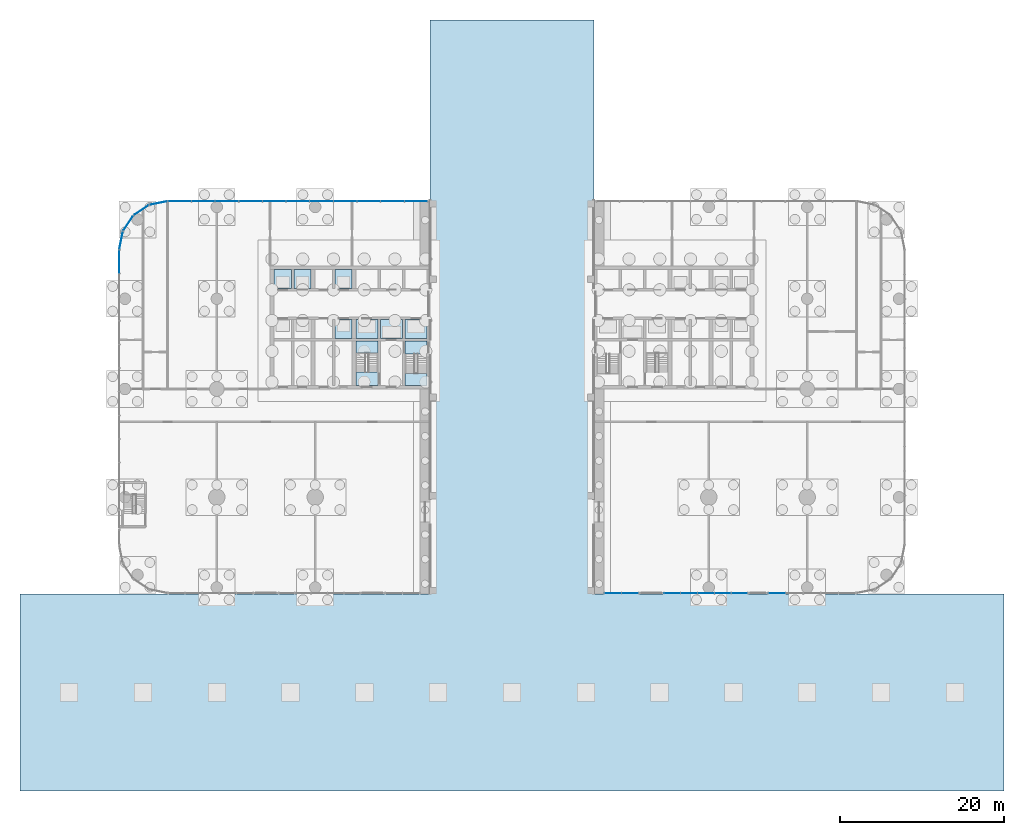
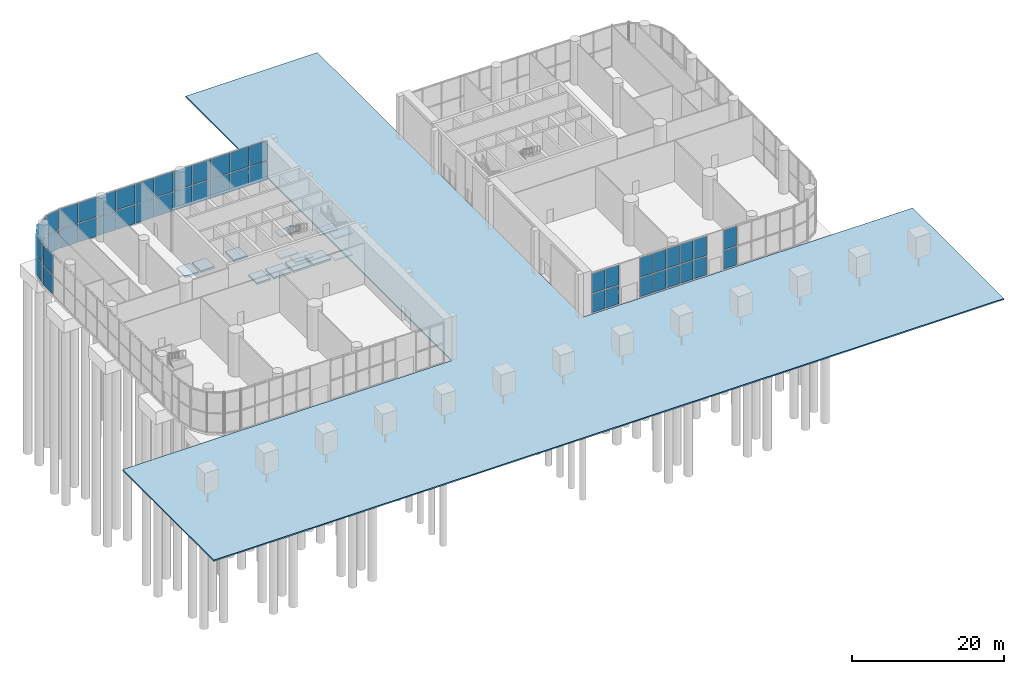
# One storey, part 14 of 26: 48 plates, 14 slabs, 11 elements without a shape of their own.
"""IFC4 building model written with IfcOpenShell, lengths in metres."""

from ifc_helpers import new_model, si_unit, direction, frame, origin, origin_2d, place, context, subcontext, project, spatial, polyline, rectangle, outline, extrude, material, layer, layer_set, type_object, element, aggregate, save


model = new_model("IFC4")

# Units and contexts
model_context = context("Model", 3, precision=1e-05, world=origin(), true_north=direction((0.0, 1.0)))
body_context = subcontext(model_context, "Body", "Model", "MODEL_VIEW")
ifc_project = project(units=[si_unit("LENGTHUNIT", "METRE"), si_unit("AREAUNIT", "SQUARE_METRE"), si_unit("VOLUMEUNIT", "CUBIC_METRE"), si_unit("PLANEANGLEUNIT", "RADIAN"), si_unit("MASSUNIT", "GRAM", prefix="KILO")], contexts=[model_context])

# Site, building, storey
site_placement = place(None, origin())
site = spatial("IfcSite", under=ifc_project, at=site_placement, CompositionType="ELEMENT")
building_placement = place(site_placement, origin())
building = spatial("IfcBuilding", under=site, at=building_placement, Name="Torana Hotel and Residences", CompositionType="ELEMENT")
storey_placement = place(building_placement, origin())
storey = spatial("IfcBuildingStorey", under=building, at=storey_placement, Name="L00", CompositionType="ELEMENT", Elevation=0.0)

# Curtain wall, plates
ifc_material_1 = material(Name="Dark anodised aluminium", Category="aluminium")
ifc_layer_1 = layer(ifc_material_1, 0.199951171875)
ifc_layer_set_1 = layer_set([ifc_layer_1], Name="CW1 PODIUM SHOPFRONT CURTAIN WALL")
curtain_wall_type_1 = type_object("IfcCurtainWallType", Name="CW1 PODIUM SHOPFRONT CURTAIN WALL", PredefinedType="NOTDEFINED", material=ifc_layer_set_1)
curtain_wall_1_placement = place(storey_placement, origin())
curtain_wall_1 = element("IfcCurtainWall", 1, at=curtain_wall_1_placement, inside=storey, type_object=curtain_wall_type_1, Name="Curtain wall CW1 L00 e0.2-1", PredefinedType="NOTDEFINED")
ifc_material_2 = material(Name="Glass clear low-iron double glazed unit", Category="glass")
ifc_layer_2 = layer(ifc_material_2, 0.035888671875)
ifc_layer_set_2 = layer_set([ifc_layer_2], Name="CW1 DARK GLASS PANEL 36")
plate_type_1 = type_object("IfcPlateType", Name="CW1 DARK GLASS PANEL 36", PredefinedType="CURTAIN_PANEL", material=ifc_layer_set_2)
plate_1_placement = place(storey_placement, frame((-11.70947265625, 7.89990234375, 0.119873046875), z_axis=(0.0, 0.0, 1.0), x_axis=(-1.0, 0.0, 0.0)))
plate_1 = element("IfcPlate", 2, at=plate_1_placement, type_object=plate_type_1, Name="CW1 panel 1.1", PredefinedType="CURTAIN_PANEL", context=body_context, shape_type="SweptSolid", body=[
    extrude(rectangle(XDim=2.779052734375, YDim=0.035888671875, at=origin_2d()), origin(), (0.0, 0.0, 1.0), 3.02001953125),
])
plate_2_placement = place(storey_placement, frame((-11.70947265625, 7.89990234375, 3.260009765625), z_axis=(0.0, 0.0, 1.0), x_axis=(-1.0, 0.0, 0.0)))
plate_2 = element("IfcPlate", 3, at=plate_2_placement, type_object=plate_type_1, Name="CW1 panel 1.2", PredefinedType="CURTAIN_PANEL", context=body_context, shape_type="SweptSolid", body=[
    extrude(rectangle(XDim=2.779052734375, YDim=0.035888671875, at=origin_2d()), origin(), (0.0, 0.0, 1.0), 3.169921875),
])
plate_3_placement = place(storey_placement, frame((-14.576171875, 7.89990234375, 0.119873046875), z_axis=(0.0, 0.0, 1.0), x_axis=(-1.0, 0.0, 0.0)))
plate_3 = element("IfcPlate", 4, at=plate_3_placement, type_object=plate_type_1, Name="CW1 panel 2.1", PredefinedType="CURTAIN_PANEL", context=body_context, shape_type="SweptSolid", body=[
    extrude(rectangle(XDim=2.814208984375, YDim=0.035888671875, at=origin_2d()), origin(), (0.0, 0.0, 1.0), 3.02001953125),
])
plate_4_placement = place(storey_placement, frame((-14.576171875, 7.89990234375, 3.260009765625), z_axis=(0.0, 0.0, 1.0), x_axis=(-1.0, 0.0, 0.0)))
plate_4 = element("IfcPlate", 5, at=plate_4_placement, type_object=plate_type_1, Name="CW1 panel 2.2", PredefinedType="CURTAIN_PANEL", context=body_context, shape_type="SweptSolid", body=[
    extrude(rectangle(XDim=2.814208984375, YDim=0.035888671875, at=origin_2d()), origin(), (0.0, 0.0, 1.0), 3.169921875),
])
plate_5_placement = place(storey_placement, frame((-17.460205078125, 7.89990234375, 0.119873046875), z_axis=(0.0, 0.0, 1.0), x_axis=(-1.0, 0.0, 0.0)))
plate_5 = element("IfcPlate", 6, at=plate_5_placement, type_object=plate_type_1, Name="CW1 panel 3.1", PredefinedType="CURTAIN_PANEL", context=body_context, shape_type="SweptSolid", body=[
    extrude(rectangle(XDim=2.814208984375, YDim=0.035888671875, at=origin_2d()), origin(), (0.0, 0.0, 1.0), 3.02001953125),
])
plate_6_placement = place(storey_placement, frame((-17.460205078125, 7.89990234375, 3.260009765625), z_axis=(0.0, 0.0, 1.0), x_axis=(-1.0, 0.0, 0.0)))
plate_6 = element("IfcPlate", 7, at=plate_6_placement, type_object=plate_type_1, Name="CW1 panel 3.2", PredefinedType="CURTAIN_PANEL", context=body_context, shape_type="SweptSolid", body=[
    extrude(rectangle(XDim=2.814208984375, YDim=0.035888671875, at=origin_2d()), origin(), (0.0, 0.0, 1.0), 3.169921875),
])
plate_7_placement = place(storey_placement, frame((-20.344482421875, 7.89990234375, 0.119873046875), z_axis=(0.0, 0.0, 1.0), x_axis=(-1.0, 0.0, 0.0)))
plate_7 = element("IfcPlate", 8, at=plate_7_placement, type_object=plate_type_1, Name="CW1 panel 4.1", PredefinedType="CURTAIN_PANEL", context=body_context, shape_type="SweptSolid", body=[
    extrude(rectangle(XDim=2.814208984375, YDim=0.035888671875, at=origin_2d()), origin(), (0.0, 0.0, 1.0), 3.02001953125),
])
plate_8_placement = place(storey_placement, frame((-20.344482421875, 7.89990234375, 3.260009765625), z_axis=(0.0, 0.0, 1.0), x_axis=(-1.0, 0.0, 0.0)))
plate_8 = element("IfcPlate", 9, at=plate_8_placement, type_object=plate_type_1, Name="CW1 panel 4.2", PredefinedType="CURTAIN_PANEL", context=body_context, shape_type="SweptSolid", body=[
    extrude(rectangle(XDim=2.814208984375, YDim=0.035888671875, at=origin_2d()), origin(), (0.0, 0.0, 1.0), 3.169921875),
])
plate_9_placement = place(storey_placement, frame((-23.228515625, 7.89990234375, 0.119873046875), z_axis=(0.0, 0.0, 1.0), x_axis=(-1.0, 0.0, 0.0)))
plate_9 = element("IfcPlate", 10, at=plate_9_placement, type_object=plate_type_1, Name="CW1 panel 5.1", PredefinedType="CURTAIN_PANEL", context=body_context, shape_type="SweptSolid", body=[
    extrude(rectangle(XDim=2.814208984375, YDim=0.035888671875, at=origin_2d()), origin(), (0.0, 0.0, 1.0), 3.02001953125),
])
plate_10_placement = place(storey_placement, frame((-23.228515625, 7.89990234375, 3.260009765625), z_axis=(0.0, 0.0, 1.0), x_axis=(-1.0, 0.0, 0.0)))
plate_10 = element("IfcPlate", 11, at=plate_10_placement, type_object=plate_type_1, Name="CW1 panel 5.2", PredefinedType="CURTAIN_PANEL", context=body_context, shape_type="SweptSolid", body=[
    extrude(rectangle(XDim=2.814208984375, YDim=0.035888671875, at=origin_2d()), origin(), (0.0, 0.0, 1.0), 3.169921875),
])
plate_11_placement = place(storey_placement, frame((-26.11279296875, 7.89990234375, 0.119873046875), z_axis=(0.0, 0.0, 1.0), x_axis=(-1.0, 0.0, 0.0)))
plate_11 = element("IfcPlate", 12, at=plate_11_placement, type_object=plate_type_1, Name="CW1 panel 6.1", PredefinedType="CURTAIN_PANEL", context=body_context, shape_type="SweptSolid", body=[
    extrude(rectangle(XDim=2.814208984375, YDim=0.035888671875, at=origin_2d()), origin(), (0.0, 0.0, 1.0), 3.02001953125),
])
plate_12_placement = place(storey_placement, frame((-26.11279296875, 7.89990234375, 3.260009765625), z_axis=(0.0, 0.0, 1.0), x_axis=(-1.0, 0.0, 0.0)))
plate_12 = element("IfcPlate", 13, at=plate_12_placement, type_object=plate_type_1, Name="CW1 panel 6.2", PredefinedType="CURTAIN_PANEL", context=body_context, shape_type="SweptSolid", body=[
    extrude(rectangle(XDim=2.814208984375, YDim=0.035888671875, at=origin_2d()), origin(), (0.0, 0.0, 1.0), 3.169921875),
])
plate_13_placement = place(storey_placement, frame((-28.996826171875, 7.89990234375, 0.119873046875), z_axis=(0.0, 0.0, 1.0), x_axis=(-1.0, 0.0, 0.0)))
plate_13 = element("IfcPlate", 14, at=plate_13_placement, type_object=plate_type_1, Name="CW1 panel 7.1", PredefinedType="CURTAIN_PANEL", context=body_context, shape_type="SweptSolid", body=[
    extrude(rectangle(XDim=2.814208984375, YDim=0.035888671875, at=origin_2d()), origin(), (0.0, 0.0, 1.0), 3.02001953125),
])
plate_14_placement = place(storey_placement, frame((-28.996826171875, 7.89990234375, 3.260009765625), z_axis=(0.0, 0.0, 1.0), x_axis=(-1.0, 0.0, 0.0)))
plate_14 = element("IfcPlate", 15, at=plate_14_placement, type_object=plate_type_1, Name="CW1 panel 7.2", PredefinedType="CURTAIN_PANEL", context=body_context, shape_type="SweptSolid", body=[
    extrude(rectangle(XDim=2.814208984375, YDim=0.035888671875, at=origin_2d()), origin(), (0.0, 0.0, 1.0), 3.169921875),
])
plate_15_placement = place(storey_placement, frame((-31.880859375, 7.89990234375, 0.119873046875), z_axis=(0.0, 0.0, 1.0), x_axis=(-1.0, 0.0, 0.0)))
plate_15 = element("IfcPlate", 16, at=plate_15_placement, type_object=plate_type_1, Name="CW1 panel 8.1", PredefinedType="CURTAIN_PANEL", context=body_context, shape_type="SweptSolid", body=[
    extrude(rectangle(XDim=2.814208984375, YDim=0.035888671875, at=origin_2d()), origin(), (0.0, 0.0, 1.0), 3.02001953125),
])
plate_16_placement = place(storey_placement, frame((-31.880859375, 7.89990234375, 3.260009765625), z_axis=(0.0, 0.0, 1.0), x_axis=(-1.0, 0.0, 0.0)))
plate_16 = element("IfcPlate", 17, at=plate_16_placement, type_object=plate_type_1, Name="CW1 panel 8.2", PredefinedType="CURTAIN_PANEL", context=body_context, shape_type="SweptSolid", body=[
    extrude(rectangle(XDim=2.814208984375, YDim=0.035888671875, at=origin_2d()), origin(), (0.0, 0.0, 1.0), 3.169921875),
])
plate_17_placement = place(storey_placement, frame((-34.76513671875, 7.89990234375, 0.119873046875), z_axis=(0.0, 0.0, 1.0), x_axis=(-1.0, 0.0, 0.0)))
plate_17 = element("IfcPlate", 18, at=plate_17_placement, type_object=plate_type_1, Name="CW1 panel 9.1", PredefinedType="CURTAIN_PANEL", context=body_context, shape_type="SweptSolid", body=[
    extrude(rectangle(XDim=2.814208984375, YDim=0.035888671875, at=origin_2d()), origin(), (0.0, 0.0, 1.0), 3.02001953125),
])
plate_18_placement = place(storey_placement, frame((-34.76513671875, 7.89990234375, 3.260009765625), z_axis=(0.0, 0.0, 1.0), x_axis=(-1.0, 0.0, 0.0)))
plate_18 = element("IfcPlate", 19, at=plate_18_placement, type_object=plate_type_1, Name="CW1 panel 9.2", PredefinedType="CURTAIN_PANEL", context=body_context, shape_type="SweptSolid", body=[
    extrude(rectangle(XDim=2.814208984375, YDim=0.035888671875, at=origin_2d()), origin(), (0.0, 0.0, 1.0), 3.169921875),
])
plate_19_placement = place(storey_placement, frame((-37.649169921875, 7.89990234375, 0.119873046875), z_axis=(0.0, 0.0, 1.0), x_axis=(-1.0, 0.0, 0.0)))
plate_19 = element("IfcPlate", 20, at=plate_19_placement, type_object=plate_type_1, Name="CW1 panel 10.1", PredefinedType="CURTAIN_PANEL", context=body_context, shape_type="SweptSolid", body=[
    extrude(rectangle(XDim=2.814208984375, YDim=0.035888671875, at=origin_2d()), origin(), (0.0, 0.0, 1.0), 3.02001953125),
])
plate_20_placement = place(storey_placement, frame((-37.649169921875, 7.89990234375, 3.260009765625), z_axis=(0.0, 0.0, 1.0), x_axis=(-1.0, 0.0, 0.0)))
plate_20 = element("IfcPlate", 21, at=plate_20_placement, type_object=plate_type_1, Name="CW1 panel 10.2", PredefinedType="CURTAIN_PANEL", context=body_context, shape_type="SweptSolid", body=[
    extrude(rectangle(XDim=2.814208984375, YDim=0.035888671875, at=origin_2d()), origin(), (0.0, 0.0, 1.0), 3.169921875),
])
plate_21_placement = place(storey_placement, frame((-40.515869140625, 7.89990234375, 0.119873046875), z_axis=(0.0, 0.0, 1.0), x_axis=(-1.0, 0.0, 0.0)))
plate_21 = element("IfcPlate", 22, at=plate_21_placement, type_object=plate_type_1, Name="CW1 panel 11.1", PredefinedType="CURTAIN_PANEL", context=body_context, shape_type="SweptSolid", body=[
    extrude(rectangle(XDim=2.779052734375, YDim=0.035888671875, at=origin_2d()), origin(), (0.0, 0.0, 1.0), 3.02001953125),
])
plate_22_placement = place(storey_placement, frame((-40.515869140625, 7.89990234375, 3.260009765625), z_axis=(0.0, 0.0, 1.0), x_axis=(-1.0, 0.0, 0.0)))
plate_22 = element("IfcPlate", 23, at=plate_22_placement, type_object=plate_type_1, Name="CW1 panel 11.2", PredefinedType="CURTAIN_PANEL", context=body_context, shape_type="SweptSolid", body=[
    extrude(rectangle(XDim=2.779052734375, YDim=0.035888671875, at=origin_2d()), origin(), (0.0, 0.0, 1.0), 3.169921875),
])
aggregate(curtain_wall_1, [plate_1, plate_2, plate_3, plate_4, plate_5, plate_6, plate_7, plate_8, plate_9, plate_10, plate_11, plate_12, plate_13, plate_14, plate_15, plate_16, plate_17, plate_18, plate_19, plate_20, plate_21, plate_22])

curtain_wall_2_placement = place(storey_placement, origin())
curtain_wall_2 = element("IfcCurtainWall", 24, at=curtain_wall_2_placement, inside=storey, type_object=curtain_wall_type_1, Name="Curtain wall CW1 L00 e0.3-1", PredefinedType="NOTDEFINED")
plate_23_placement = place(storey_placement, frame((-43.1162109375, 7.676025390625, 0.119873046875), z_axis=(0.0, 0.0, 1.0), x_axis=(-0.980787135335, -0.195080996415, 0.0)))
plate_23 = element("IfcPlate", 25, at=plate_23_placement, type_object=plate_type_1, Name="CW1 panel 1.1", PredefinedType="CURTAIN_PANEL", context=body_context, shape_type="SweptSolid", body=[
    extrude(rectangle(XDim=2.126708984375, YDim=0.035888671875, at=origin_2d()), origin(), (0.0, 0.0, 1.0), 3.02001953125),
])
plate_24_placement = place(storey_placement, frame((-43.1162109375, 7.676025390625, 3.260009765625), z_axis=(0.0, 0.0, 1.0), x_axis=(-0.980787135335, -0.195080996415, 0.0)))
plate_24 = element("IfcPlate", 26, at=plate_24_placement, type_object=plate_type_1, Name="CW1 panel 1.2", PredefinedType="CURTAIN_PANEL", context=body_context, shape_type="SweptSolid", body=[
    extrude(rectangle(XDim=2.126708984375, YDim=0.035888671875, at=origin_2d()), origin(), (0.0, 0.0, 1.0), 3.169921875),
])
aggregate(curtain_wall_2, [plate_23, plate_24])

curtain_wall_3_placement = place(storey_placement, origin())
curtain_wall_3 = element("IfcCurtainWall", 27, at=curtain_wall_3_placement, inside=storey, type_object=curtain_wall_type_1, Name="Curtain wall CW1 L00 e0.4-1", PredefinedType="NOTDEFINED")
plate_25_placement = place(storey_placement, frame((-45.2138671875, 6.809814453125, 0.119873046875), z_axis=(0.0, 0.0, 1.0), x_axis=(-0.831459585616, -0.555585238723, 0.0)))
plate_25 = element("IfcPlate", 28, at=plate_25_placement, type_object=plate_type_1, Name="CW1 panel 1.1", PredefinedType="CURTAIN_PANEL", context=body_context, shape_type="SweptSolid", body=[
    extrude(rectangle(XDim=2.1015625, YDim=0.035888671875, at=origin_2d()), origin(), (0.0, 0.0, 1.0), 3.02001953125),
])
plate_26_placement = place(storey_placement, frame((-45.2138671875, 6.809814453125, 3.260009765625), z_axis=(0.0, 0.0, 1.0), x_axis=(-0.831459585616, -0.555585238723, 0.0)))
plate_26 = element("IfcPlate", 29, at=plate_26_placement, type_object=plate_type_1, Name="CW1 panel 1.2", PredefinedType="CURTAIN_PANEL", context=body_context, shape_type="SweptSolid", body=[
    extrude(rectangle(XDim=2.1015625, YDim=0.035888671875, at=origin_2d()), origin(), (0.0, 0.0, 1.0), 3.169921875),
])
aggregate(curtain_wall_3, [plate_25, plate_26])

curtain_wall_4_placement = place(storey_placement, origin())
curtain_wall_4 = element("IfcCurtainWall", 30, at=curtain_wall_4_placement, inside=storey, type_object=curtain_wall_type_1, Name="Curtain wall CW1 L00 e0.5-1", PredefinedType="NOTDEFINED")
plate_27_placement = place(storey_placement, frame((-46.809814453125, 5.2138671875, 0.119873046875), z_axis=(0.0, 0.0, 1.0), x_axis=(-0.555585238723, -0.831459585616, 0.0)))
plate_27 = element("IfcPlate", 31, at=plate_27_placement, type_object=plate_type_1, Name="CW1 panel 1.1", PredefinedType="CURTAIN_PANEL", context=body_context, shape_type="SweptSolid", body=[
    extrude(rectangle(XDim=2.1015625, YDim=0.035888671875, at=origin_2d()), origin(), (0.0, 0.0, 1.0), 3.02001953125),
])
plate_28_placement = place(storey_placement, frame((-46.809814453125, 5.2138671875, 3.260009765625), z_axis=(0.0, 0.0, 1.0), x_axis=(-0.555585238723, -0.831459585616, 0.0)))
plate_28 = element("IfcPlate", 32, at=plate_28_placement, type_object=plate_type_1, Name="CW1 panel 1.2", PredefinedType="CURTAIN_PANEL", context=body_context, shape_type="SweptSolid", body=[
    extrude(rectangle(XDim=2.1015625, YDim=0.035888671875, at=origin_2d()), origin(), (0.0, 0.0, 1.0), 3.169921875),
])
aggregate(curtain_wall_4, [plate_27, plate_28])

curtain_wall_5_placement = place(storey_placement, origin())
curtain_wall_5 = element("IfcCurtainWall", 33, at=curtain_wall_5_placement, inside=storey, type_object=curtain_wall_type_1, Name="Curtain wall CW1 L00 e0.6-1", PredefinedType="NOTDEFINED")
plate_29_placement = place(storey_placement, frame((-47.676025390625, 3.1162109375, 0.119873046875), z_axis=(0.0, 0.0, 1.0), x_axis=(-0.195080996415, -0.980787135335, 0.0)))
plate_29 = element("IfcPlate", 34, at=plate_29_placement, type_object=plate_type_1, Name="CW1 panel 1.1", PredefinedType="CURTAIN_PANEL", context=body_context, shape_type="SweptSolid", body=[
    extrude(rectangle(XDim=2.126708984375, YDim=0.035888671875, at=origin_2d()), origin(), (0.0, 0.0, 1.0), 3.02001953125),
])
plate_30_placement = place(storey_placement, frame((-47.676025390625, 3.1162109375, 3.260009765625), z_axis=(0.0, 0.0, 1.0), x_axis=(-0.195080996415, -0.980787135335, 0.0)))
plate_30 = element("IfcPlate", 35, at=plate_30_placement, type_object=plate_type_1, Name="CW1 panel 1.2", PredefinedType="CURTAIN_PANEL", context=body_context, shape_type="SweptSolid", body=[
    extrude(rectangle(XDim=2.126708984375, YDim=0.035888671875, at=origin_2d()), origin(), (0.0, 0.0, 1.0), 3.169921875),
])
aggregate(curtain_wall_5, [plate_29, plate_30])

curtain_wall_6_placement = place(storey_placement, origin())
curtain_wall_6 = element("IfcCurtainWall", 36, at=curtain_wall_6_placement, inside=storey, type_object=curtain_wall_type_1, Name="Curtain wall CW1 L00 e0.7-1", PredefinedType="NOTDEFINED")
plate_31_placement = place(storey_placement, frame((-47.89990234375, 0.515869140625, 0.119873046875), z_axis=(0.0, 0.0, 1.0), x_axis=(0.0, -1.0, 0.0)))
plate_31 = element("IfcPlate", 37, at=plate_31_placement, type_object=plate_type_1, Name="CW1 panel 1.1", PredefinedType="CURTAIN_PANEL", context=body_context, shape_type="SweptSolid", body=[
    extrude(rectangle(XDim=2.779052734375, YDim=0.035888671875, at=origin_2d()), origin(), (0.0, 0.0, 1.0), 3.02001953125),
])
plate_32_placement = place(storey_placement, frame((-47.89990234375, 0.515869140625, 3.260009765625), z_axis=(0.0, 0.0, 1.0), x_axis=(0.0, -1.0, 0.0)))
plate_32 = element("IfcPlate", 38, at=plate_32_placement, type_object=plate_type_1, Name="CW1 panel 1.2", PredefinedType="CURTAIN_PANEL", context=body_context, shape_type="SweptSolid", body=[
    extrude(rectangle(XDim=2.779052734375, YDim=0.035888671875, at=origin_2d()), origin(), (0.0, 0.0, 1.0), 3.169921875),
])
aggregate(curtain_wall_6, [plate_31, plate_32])

ifc_material_3 = material(Name="Dark anodised aluminium", Category="aluminium")
ifc_layer_3 = layer(ifc_material_3, 0.25)
ifc_layer_set_3 = layer_set([ifc_layer_3], Name="CW6 LOBBY ENTRANCE FRONT CURTAIN WALL")
curtain_wall_type_2 = type_object("IfcCurtainWallType", Name="CW6 LOBBY ENTRANCE FRONT CURTAIN WALL", PredefinedType="NOTDEFINED", material=ifc_layer_set_3)
curtain_wall_7_placement = place(storey_placement, origin())
curtain_wall_7 = element("IfcCurtainWall", 39, at=curtain_wall_7_placement, inside=storey, type_object=curtain_wall_type_2, Name="Curtain wall CW6 L00 e1.0-1", PredefinedType="NOTDEFINED")
ifc_material_4 = material(Name="Glass clear low-iron toughened double glazed unit", Category="glass")
ifc_layer_4 = layer(ifc_material_4, 0.0400390625)
ifc_layer_set_4 = layer_set([ifc_layer_4], Name="CW6 DARK GLASS PANEL 40")
plate_type_2 = type_object("IfcPlateType", Name="CW6 DARK GLASS PANEL 40", PredefinedType="CURTAIN_PANEL", material=ifc_layer_set_4)
plate_33_placement = place(storey_placement, frame((12.297607421875, -39.89990234375, 0.14990234375), z_axis=(0.0, 0.0, 1.0), x_axis=(1.0, 0.0, 0.0)))
plate_33 = element("IfcPlate", 40, at=plate_33_placement, type_object=plate_type_2, Name="CW6 panel 1.1", PredefinedType="CURTAIN_PANEL", context=body_context, shape_type="SweptSolid", body=[
    extrude(rectangle(XDim=2.014892578125, YDim=0.0400390625, at=origin_2d()), origin(), (0.0, 0.0, 1.0), 2.97509765625),
])
plate_34_placement = place(storey_placement, frame((12.297607421875, -39.89990234375, 3.27490234375), z_axis=(0.0, 0.0, 1.0), x_axis=(1.0, 0.0, 0.0)))
plate_34 = element("IfcPlate", 41, at=plate_34_placement, type_object=plate_type_2, Name="CW6 panel 1.2", PredefinedType="CURTAIN_PANEL", context=body_context, shape_type="SweptSolid", body=[
    extrude(rectangle(XDim=2.014892578125, YDim=0.0400390625, at=origin_2d()), origin(), (0.0, 0.0, 1.0), 3.125),
])
plate_35_placement = place(storey_placement, frame((14.402587890625, -39.89990234375, 0.14990234375), z_axis=(0.0, 0.0, 1.0), x_axis=(1.0, 0.0, 0.0)))
plate_35 = element("IfcPlate", 42, at=plate_35_placement, type_object=plate_type_2, Name="CW6 panel 2.1", PredefinedType="CURTAIN_PANEL", context=body_context, shape_type="SweptSolid", body=[
    extrude(rectangle(XDim=2.014892578125, YDim=0.0400390625, at=origin_2d()), origin(), (0.0, 0.0, 1.0), 2.97509765625),
])
plate_36_placement = place(storey_placement, frame((14.402587890625, -39.89990234375, 3.27490234375), z_axis=(0.0, 0.0, 1.0), x_axis=(1.0, 0.0, 0.0)))
plate_36 = element("IfcPlate", 43, at=plate_36_placement, type_object=plate_type_2, Name="CW6 panel 2.2", PredefinedType="CURTAIN_PANEL", context=body_context, shape_type="SweptSolid", body=[
    extrude(rectangle(XDim=2.014892578125, YDim=0.0400390625, at=origin_2d()), origin(), (0.0, 0.0, 1.0), 3.125),
])
aggregate(curtain_wall_7, [plate_33, plate_34, plate_35, plate_36])

curtain_wall_8_placement = place(storey_placement, origin())
curtain_wall_8 = element("IfcCurtainWall", 44, at=curtain_wall_8_placement, inside=storey, type_object=curtain_wall_type_2, Name="Curtain wall CW6 L00 e1.0-3", PredefinedType="NOTDEFINED")
plate_37_placement = place(storey_placement, frame((19.552490234375, -39.89990234375, 0.14990234375), z_axis=(0.0, 0.0, 1.0), x_axis=(1.0, 0.0, 0.0)))
plate_37 = element("IfcPlate", 45, at=plate_37_placement, type_object=plate_type_2, Name="CW6 panel 1.1", PredefinedType="CURTAIN_PANEL", context=body_context, shape_type="SweptSolid", body=[
    extrude(rectangle(XDim=1.925048828125, YDim=0.0400390625, at=origin_2d()), origin(), (0.0, 0.0, 1.0), 2.97509765625),
])
plate_38_placement = place(storey_placement, frame((19.552490234375, -39.89990234375, 3.27490234375), z_axis=(0.0, 0.0, 1.0), x_axis=(1.0, 0.0, 0.0)))
plate_38 = element("IfcPlate", 46, at=plate_38_placement, type_object=plate_type_2, Name="CW6 panel 1.2", PredefinedType="CURTAIN_PANEL", context=body_context, shape_type="SweptSolid", body=[
    extrude(rectangle(XDim=1.925048828125, YDim=0.0400390625, at=origin_2d()), origin(), (0.0, 0.0, 1.0), 3.125),
])
plate_39_placement = place(storey_placement, frame((21.590087890625, -39.89990234375, 0.14990234375), z_axis=(0.0, 0.0, 1.0), x_axis=(1.0, 0.0, 0.0)))
plate_39 = element("IfcPlate", 47, at=plate_39_placement, type_object=plate_type_2, Name="CW6 panel 2.1", PredefinedType="CURTAIN_PANEL", context=body_context, shape_type="SweptSolid", body=[
    extrude(rectangle(XDim=1.969970703125, YDim=0.0400390625, at=origin_2d()), origin(), (0.0, 0.0, 1.0), 2.97509765625),
])
plate_40_placement = place(storey_placement, frame((21.590087890625, -39.89990234375, 3.27490234375), z_axis=(0.0, 0.0, 1.0), x_axis=(1.0, 0.0, 0.0)))
plate_40 = element("IfcPlate", 48, at=plate_40_placement, type_object=plate_type_2, Name="CW6 panel 2.2", PredefinedType="CURTAIN_PANEL", context=body_context, shape_type="SweptSolid", body=[
    extrude(rectangle(XDim=1.969970703125, YDim=0.0400390625, at=origin_2d()), origin(), (0.0, 0.0, 1.0), 3.125),
])
plate_41_placement = place(storey_placement, frame((23.64990234375, -39.89990234375, 0.14990234375), z_axis=(0.0, 0.0, 1.0), x_axis=(1.0, 0.0, 0.0)))
plate_41 = element("IfcPlate", 49, at=plate_41_placement, type_object=plate_type_2, Name="CW6 panel 3.1", PredefinedType="CURTAIN_PANEL", context=body_context, shape_type="SweptSolid", body=[
    extrude(rectangle(XDim=1.969970703125, YDim=0.0400390625, at=origin_2d()), origin(), (0.0, 0.0, 1.0), 2.97509765625),
])
plate_42_placement = place(storey_placement, frame((23.64990234375, -39.89990234375, 3.27490234375), z_axis=(0.0, 0.0, 1.0), x_axis=(1.0, 0.0, 0.0)))
plate_42 = element("IfcPlate", 50, at=plate_42_placement, type_object=plate_type_2, Name="CW6 panel 3.2", PredefinedType="CURTAIN_PANEL", context=body_context, shape_type="SweptSolid", body=[
    extrude(rectangle(XDim=1.969970703125, YDim=0.0400390625, at=origin_2d()), origin(), (0.0, 0.0, 1.0), 3.125),
])
plate_43_placement = place(storey_placement, frame((25.7099609375, -39.89990234375, 0.14990234375), z_axis=(0.0, 0.0, 1.0), x_axis=(1.0, 0.0, 0.0)))
plate_43 = element("IfcPlate", 51, at=plate_43_placement, type_object=plate_type_2, Name="CW6 panel 4.1", PredefinedType="CURTAIN_PANEL", context=body_context, shape_type="SweptSolid", body=[
    extrude(rectangle(XDim=1.969970703125, YDim=0.0400390625, at=origin_2d()), origin(), (0.0, 0.0, 1.0), 2.97509765625),
])
plate_44_placement = place(storey_placement, frame((25.7099609375, -39.89990234375, 3.27490234375), z_axis=(0.0, 0.0, 1.0), x_axis=(1.0, 0.0, 0.0)))
plate_44 = element("IfcPlate", 52, at=plate_44_placement, type_object=plate_type_2, Name="CW6 panel 4.2", PredefinedType="CURTAIN_PANEL", context=body_context, shape_type="SweptSolid", body=[
    extrude(rectangle(XDim=1.969970703125, YDim=0.0400390625, at=origin_2d()), origin(), (0.0, 0.0, 1.0), 3.125),
])
plate_45_placement = place(storey_placement, frame((27.74755859375, -39.89990234375, 0.14990234375), z_axis=(0.0, 0.0, 1.0), x_axis=(1.0, 0.0, 0.0)))
plate_45 = element("IfcPlate", 53, at=plate_45_placement, type_object=plate_type_2, Name="CW6 panel 5.1", PredefinedType="CURTAIN_PANEL", context=body_context, shape_type="SweptSolid", body=[
    extrude(rectangle(XDim=1.925048828125, YDim=0.0400390625, at=origin_2d()), origin(), (0.0, 0.0, 1.0), 2.97509765625),
])
plate_46_placement = place(storey_placement, frame((27.74755859375, -39.89990234375, 3.27490234375), z_axis=(0.0, 0.0, 1.0), x_axis=(1.0, 0.0, 0.0)))
plate_46 = element("IfcPlate", 54, at=plate_46_placement, type_object=plate_type_2, Name="CW6 panel 5.2", PredefinedType="CURTAIN_PANEL", context=body_context, shape_type="SweptSolid", body=[
    extrude(rectangle(XDim=1.925048828125, YDim=0.0400390625, at=origin_2d()), origin(), (0.0, 0.0, 1.0), 3.125),
])
aggregate(curtain_wall_8, [plate_37, plate_38, plate_39, plate_40, plate_41, plate_42, plate_43, plate_44, plate_45, plate_46])

curtain_wall_9_placement = place(storey_placement, origin())
curtain_wall_9 = element("IfcCurtainWall", 55, at=curtain_wall_9_placement, inside=storey, type_object=curtain_wall_type_2, Name="Curtain wall CW6 L00 e1.0-5", PredefinedType="NOTDEFINED")
plate_47_placement = place(storey_placement, frame((32.300048828125, -39.89990234375, 0.14990234375), z_axis=(0.0, 0.0, 1.0), x_axis=(1.0, 0.0, 0.0)))
plate_47 = element("IfcPlate", 56, at=plate_47_placement, type_object=plate_type_2, Name="CW6 panel 1.1", PredefinedType="CURTAIN_PANEL", context=body_context, shape_type="SweptSolid", body=[
    extrude(rectangle(XDim=2.02001953125, YDim=0.0400390625, at=origin_2d()), origin(), (0.0, 0.0, 1.0), 2.97509765625),
])
plate_48_placement = place(storey_placement, frame((32.300048828125, -39.89990234375, 3.27490234375), z_axis=(0.0, 0.0, 1.0), x_axis=(1.0, 0.0, 0.0)))
plate_48 = element("IfcPlate", 57, at=plate_48_placement, type_object=plate_type_2, Name="CW6 panel 1.2", PredefinedType="CURTAIN_PANEL", context=body_context, shape_type="SweptSolid", body=[
    extrude(rectangle(XDim=2.02001953125, YDim=0.0400390625, at=origin_2d()), origin(), (0.0, 0.0, 1.0), 3.125),
])
aggregate(curtain_wall_9, [plate_47, plate_48])

# Slabs
ifc_material_5 = material(Name="Concrete C50/60", Category="concrete")
ifc_layer_5 = layer(ifc_material_5, 0.300048828125)
ifc_layer_set_5 = layer_set([ifc_layer_5], Name="LIFT PIT SLAB 300")
slab_type_1 = type_object("IfcSlabType", Name="LIFT PIT SLAB 300", PredefinedType="USERDEFINED", material=ifc_layer_set_5)
slab_1_placement = place(storey_placement, frame((0.0, 0.0, -2.699951171875)))
element("IfcSlab", 58, at=slab_1_placement, inside=storey, type_object=slab_type_1, Name="Lift pit slab L1", ObjectType="LIFT PIT", PredefinedType="USERDEFINED", context=body_context, shape_type="SweptSolid", body=[
    extrude(outline(polyline([(-26.60009765625, -2.75), (-24.5, -2.75), (-24.5, -0.449951171875), (-26.60009765625, -0.449951171875), (-26.60009765625, -2.75)])), origin(), (0.0, 0.0, 1.0), 0.300048828125),
])
slab_2_placement = place(storey_placement, frame((0.0, 0.0, -2.699951171875)))
element("IfcSlab", 59, at=slab_2_placement, inside=storey, type_object=slab_type_1, Name="Lift pit slab L2", ObjectType="LIFT PIT", PredefinedType="USERDEFINED", context=body_context, shape_type="SweptSolid", body=[
    extrude(outline(polyline([(-29.0, -2.75), (-26.89990234375, -2.75), (-26.89990234375, -0.449951171875), (-29.0, -0.449951171875), (-29.0, -2.75)])), origin(), (0.0, 0.0, 1.0), 0.300048828125),
])
slab_3_placement = place(storey_placement, frame((0.0, 0.0, -2.699951171875)))
element("IfcSlab", 60, at=slab_3_placement, inside=storey, type_object=slab_type_1, Name="Lift pit slab S1", ObjectType="LIFT PIT", PredefinedType="USERDEFINED", context=body_context, shape_type="SweptSolid", body=[
    extrude(outline(polyline([(-21.60009765625, -2.75), (-19.5, -2.75), (-19.5, -0.449951171875), (-21.60009765625, -0.449951171875), (-21.60009765625, -2.75)])), origin(), (0.0, 0.0, 1.0), 0.300048828125),
])
slab_4_placement = place(storey_placement, frame((0.0, 0.0, -2.699951171875)))
element("IfcSlab", 61, at=slab_4_placement, inside=storey, type_object=slab_type_1, Name="Lift pit slab S3", ObjectType="LIFT PIT", PredefinedType="USERDEFINED", context=body_context, shape_type="SweptSolid", body=[
    extrude(outline(polyline([(-21.60009765625, -8.85009765625), (-19.5, -8.85009765625), (-19.5, -6.550048828125), (-21.60009765625, -6.550048828125), (-21.60009765625, -8.85009765625)])), origin(), (0.0, 0.0, 1.0), 0.300048828125),
])
slab_5_placement = place(storey_placement, frame((0.0, 0.0, -2.699951171875)))
element("IfcSlab", 62, at=slab_5_placement, inside=storey, type_object=slab_type_1, Name="Lift pit slab X1", ObjectType="LIFT PIT", PredefinedType="USERDEFINED", context=body_context, shape_type="SweptSolid", body=[
    extrude(outline(polyline([(-13.050048828125, -8.85009765625), (-10.35009765625, -8.85009765625), (-10.35009765625, -6.550048828125), (-13.050048828125, -6.550048828125), (-13.050048828125, -8.85009765625)])), origin(), (0.0, 0.0, 1.0), 0.300048828125),
])
slab_6_placement = place(storey_placement, frame((0.0, 0.0, -2.699951171875)))
element("IfcSlab", 63, at=slab_6_placement, inside=storey, type_object=slab_type_1, Name="Lift pit slab FF1", ObjectType="LIFT PIT", PredefinedType="USERDEFINED", context=body_context, shape_type="SweptSolid", body=[
    extrude(outline(polyline([(-16.050048828125, -8.85009765625), (-13.35009765625, -8.85009765625), (-13.35009765625, -6.550048828125), (-16.050048828125, -6.550048828125), (-16.050048828125, -8.85009765625)])), origin(), (0.0, 0.0, 1.0), 0.300048828125),
])
slab_7_placement = place(storey_placement, frame((0.0, 0.0, -2.699951171875)))
element("IfcSlab", 64, at=slab_7_placement, inside=storey, type_object=slab_type_1, Name="Lift pit slab SV1", ObjectType="LIFT PIT", PredefinedType="USERDEFINED", context=body_context, shape_type="SweptSolid", body=[
    extrude(outline(polyline([(-19.050048828125, -8.85009765625), (-16.35009765625, -8.85009765625), (-16.35009765625, -6.550048828125), (-19.050048828125, -6.550048828125), (-19.050048828125, -8.85009765625)])), origin(), (0.0, 0.0, 1.0), 0.300048828125),
])
ifc_material_6 = material(Name="Granite paving on bedding", Category="masonry")
ifc_layer_6 = layer(ifc_material_6, 0.199951171875)
ifc_layer_set_6 = layer_set([ifc_layer_6], Name="PV1 PLAZA PAVING 200")
slab_type_2 = type_object("IfcSlabType", Name="PV1 PLAZA PAVING 200", PredefinedType="USERDEFINED", material=ifc_layer_set_6)
slab_8_placement = place(storey_placement, frame((0.0, 0.0, -0.199951171875)))
element("IfcSlab", 65, at=slab_8_placement, inside=storey, type_object=slab_type_2, Name="Plaza paving 1", ObjectType="PAVING", PredefinedType="USERDEFINED", context=body_context, shape_type="SweptSolid", body=[
    extrude(outline(polyline([(60.0, -40.0), (60.0, -64.0), (-60.0, -64.0), (-60.0, -40.0), (-10.0, -40.0), (-10.0, 8.0), (-10.0, 30.0), (10.0, 30.0), (10.0, 8.0), (10.0, -40.0), (60.0, -40.0)])), origin(), (0.0, 0.0, 1.0), 0.199951171875),
])

# Stair, slabs
ifc_material_7 = material(Name="Concrete C40/50 precast", Category="concrete")
stair_type_1 = type_object("IfcStairType", Name="STAIR ST1 HALF TURN 1200", PredefinedType="HALF_TURN_STAIR", material=ifc_material_7)
stair_1_placement = place(storey_placement, origin())
stair_1 = element("IfcStair", 66, at=stair_1_placement, inside=storey, type_object=stair_type_1, Name="Stair ST1 L00", PredefinedType="HALF_TURN_STAIR")
ifc_material_8 = material(Name="Concrete C40/50 precast", Category="concrete")
ifc_layer_7 = layer(ifc_material_8, 0.199951171875)
ifc_layer_set_7 = layer_set([ifc_layer_7], Name="STAIR LANDING 200")
slab_type_3 = type_object("IfcSlabType", Name="STAIR LANDING 200", PredefinedType="LANDING", material=ifc_layer_set_7)
slab_9_placement = place(storey_placement, frame((0.0, 0.0, 1.550048828125)))
slab_9 = element("IfcSlab", 67, at=slab_9_placement, type_object=slab_type_3, Name="ST1 landing 1", PredefinedType="LANDING", context=body_context, shape_type="SweptSolid", body=[
    extrude(outline(polyline([(-13.050048828125, -14.550048828125), (-10.35009765625, -14.550048828125), (-10.35009765625, -13.090087890625), (-13.050048828125, -13.090087890625), (-13.050048828125, -14.550048828125)])), origin(), (0.0, 0.0, 1.0), 0.199951171875),
])
slab_10_placement = place(storey_placement, frame((0.0, 0.0, 5.050048828125)))
slab_10 = element("IfcSlab", 68, at=slab_10_placement, type_object=slab_type_3, Name="ST1 landing 2", PredefinedType="LANDING", context=body_context, shape_type="SweptSolid", body=[
    extrude(outline(polyline([(-13.050048828125, -14.550048828125), (-10.35009765625, -14.550048828125), (-10.35009765625, -13.090087890625), (-13.050048828125, -13.090087890625), (-13.050048828125, -14.550048828125)])), origin(), (0.0, 0.0, 1.0), 0.199951171875),
])
slab_11_placement = place(storey_placement, frame((0.0, 0.0, 3.300048828125)))
slab_11 = element("IfcSlab", 69, at=slab_11_placement, type_object=slab_type_3, Name="ST1 landing 3", PredefinedType="LANDING", context=body_context, shape_type="SweptSolid", body=[
    extrude(outline(polyline([(-13.050048828125, -10.75), (-10.35009765625, -10.75), (-10.35009765625, -9.14990234375), (-13.050048828125, -9.14990234375), (-13.050048828125, -10.75)])), origin(), (0.0, 0.0, 1.0), 0.199951171875),
])
aggregate(stair_1, [slab_9, slab_10, slab_11])

ifc_material_9 = material(Name="Concrete C40/50 precast", Category="concrete")
stair_type_2 = type_object("IfcStairType", Name="STAIR ST2 HALF TURN 1200", PredefinedType="HALF_TURN_STAIR", material=ifc_material_9)
stair_2_placement = place(storey_placement, origin())
stair_2 = element("IfcStair", 70, at=stair_2_placement, inside=storey, type_object=stair_type_2, Name="Stair ST2 L00", PredefinedType="HALF_TURN_STAIR")
slab_12_placement = place(storey_placement, frame((0.0, 0.0, 1.550048828125)))
slab_12 = element("IfcSlab", 71, at=slab_12_placement, type_object=slab_type_3, Name="ST2 landing 1", PredefinedType="LANDING", context=body_context, shape_type="SweptSolid", body=[
    extrude(outline(polyline([(-19.050048828125, -10.610107421875), (-16.35009765625, -10.610107421875), (-16.35009765625, -9.14990234375), (-19.050048828125, -9.14990234375), (-19.050048828125, -10.610107421875)])), origin(), (0.0, 0.0, 1.0), 0.199951171875),
])
slab_13_placement = place(storey_placement, frame((0.0, 0.0, 5.050048828125)))
slab_13 = element("IfcSlab", 72, at=slab_13_placement, type_object=slab_type_3, Name="ST2 landing 2", PredefinedType="LANDING", context=body_context, shape_type="SweptSolid", body=[
    extrude(outline(polyline([(-19.050048828125, -10.610107421875), (-16.35009765625, -10.610107421875), (-16.35009765625, -9.14990234375), (-19.050048828125, -9.14990234375), (-19.050048828125, -10.610107421875)])), origin(), (0.0, 0.0, 1.0), 0.199951171875),
])
slab_14_placement = place(storey_placement, frame((0.0, 0.0, 3.300048828125)))
slab_14 = element("IfcSlab", 73, at=slab_14_placement, type_object=slab_type_3, Name="ST2 landing 3", PredefinedType="LANDING", context=body_context, shape_type="SweptSolid", body=[
    extrude(outline(polyline([(-19.050048828125, -14.550048828125), (-16.35009765625, -14.550048828125), (-16.35009765625, -12.949951171875), (-19.050048828125, -12.949951171875), (-19.050048828125, -14.550048828125)])), origin(), (0.0, 0.0, 1.0), 0.199951171875),
])
aggregate(stair_2, [slab_12, slab_13, slab_14])

save(model, "model.ifc")
